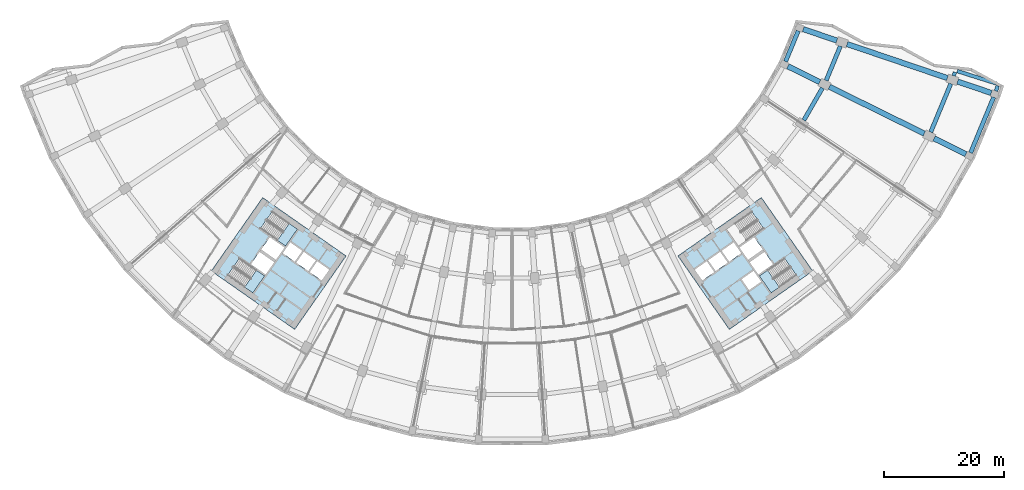
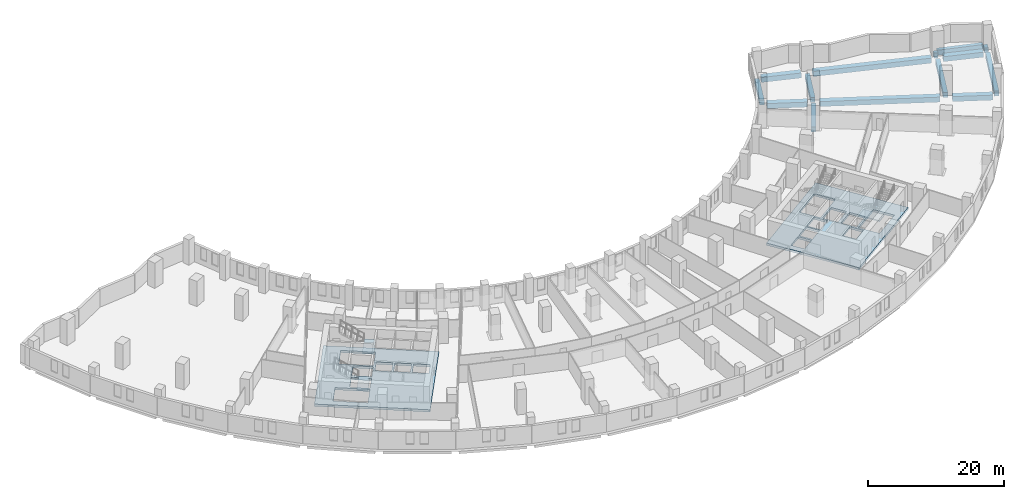
# One storey, part 3 of 20: 14 beams, 5 slabs, 3 elements without a shape of their own.
"""IFC4 building model written with IfcOpenShell, lengths in metres."""

from ifc_helpers import new_model, si_unit, direction, frame, origin, origin_2d, place, context, subcontext, project, spatial, polyline, rectangle, outline, extrude, material, layer, layer_set, material_profile, profile_set, type_object, element, aggregate, save


model = new_model("IFC4")

# Units and contexts
model_context = context("Model", 3, precision=1e-05, world=origin(), true_north=direction((0.0, 1.0)))
body_context = subcontext(model_context, "Body", "Model", "MODEL_VIEW")
ifc_project = project(units=[si_unit("LENGTHUNIT", "METRE"), si_unit("AREAUNIT", "SQUARE_METRE"), si_unit("VOLUMEUNIT", "CUBIC_METRE"), si_unit("PLANEANGLEUNIT", "RADIAN"), si_unit("MASSUNIT", "GRAM", prefix="KILO")], contexts=[model_context])

# Site, building, storey
site_placement = place(None, origin())
site = spatial("IfcSite", under=ifc_project, at=site_placement, CompositionType="ELEMENT")
building_placement = place(site_placement, origin())
building = spatial("IfcBuilding", under=site, at=building_placement, Name="Qamariyya Broadcast Tower", CompositionType="ELEMENT")
storey_placement = place(building_placement, frame((0.0, 0.0, 27.0)))
storey = spatial("IfcBuildingStorey", under=building, at=storey_placement, Name="L03", CompositionType="ELEMENT", Elevation=27.0)

# Beams
ifc_material_1 = material(Name="Concrete C50/60", Category="concrete")
ifc_material_profile_1 = material_profile(ifc_material_1, rectangle(XDim=0.699951171875, YDim=0.89990234375, at=origin_2d()))
ifc_profile_set_1 = profile_set([ifc_material_profile_1], Name="Concrete C50/60")
beam_type_1 = type_object("IfcBeamType", Name="RC edge beam 700 x 900 C50/60", PredefinedType="SPANDREL", material=ifc_profile_set_1)
beam_1_placement = place(storey_placement, frame((45.727294921875, -21.93701171875, -0.85009765625), z_axis=(0.382654292645, 0.92389160204, 0.0), x_axis=(-0.92389160204, 0.382654292645, 0.0)))
element("IfcBeam", 1, at=beam_1_placement, inside=storey, type_object=beam_type_1, Name="Edge beam B2 L03 A R19-R20", PredefinedType="SPANDREL", context=body_context, shape_type="SweptSolid", body=[
    extrude(rectangle(XDim=0.699951171875, YDim=0.89990234375, at=origin_2d()), origin(), (0.0, 0.0, 1.0), 5.5361328125),
])
for number, where, z_axis, x_axis, name in (
    (2, (48.783935546875, -31.75439453125, -0.85009765625), (0.499995558535, 0.86602796805, 0.0), (-0.86602796805, 0.499995558535, 0.0), "Edge beam B2 L03 B R18-R19"),
    (3, (52.51123046875, -25.115234375, -0.85009765625), (0.38268477858, 0.92387897489, 0.0), (-0.92387897489, 0.38268477858, 0.0), "Edge beam B2 L03 B R19-R20"),
):
    element("IfcBeam", number, at=place(storey_placement, frame(where, z_axis=z_axis, x_axis=x_axis)), inside=storey, type_object=beam_type_1, Name=name, PredefinedType="SPANDREL", context=body_context, shape_type="SweptSolid", body=[
        extrude(rectangle(XDim=0.699951171875, YDim=0.89990234375, at=origin_2d()), origin(), (0.0, 0.0, 1.0), 6.21630859375),
    ])
beam_2_placement = place(storey_placement, frame((70.000244140625, -33.73974609375, -0.85009765625), z_axis=(0.38270841035, 0.923869185896, 0.0), x_axis=(-0.923869185896, 0.38270841035, 0.0)))
element("IfcBeam", 4, at=beam_2_placement, inside=storey, type_object=beam_type_1, Name="Edge beam B2 L03 C R19-R20", PredefinedType="SPANDREL", context=body_context, shape_type="SweptSolid", body=[
    extrude(rectangle(XDim=0.699951171875, YDim=0.89990234375, at=origin_2d()), origin(), (0.0, 0.0, 1.0), 8.76708984375),
])
beam_3_placement = place(storey_placement, frame((76.66943359375, -37.19580078125, -0.85009765625), z_axis=(0.382677229034, 0.923882101991, 0.0), x_axis=(-0.923882101991, 0.382677229034, 0.0)))
element("IfcBeam", 5, at=beam_3_placement, inside=storey, type_object=beam_type_1, Name="Edge beam B2 L03 D R19-R20", PredefinedType="SPANDREL", context=body_context, shape_type="SweptSolid", body=[
    extrude(rectangle(XDim=0.699951171875, YDim=0.89990234375, at=origin_2d()), origin(), (0.0, 0.0, 1.0), 10.048828125),
])
ifc_material_profile_2 = material_profile(ifc_material_1, rectangle(XDim=0.60009765625, YDim=0.89990234375, at=origin_2d()))
ifc_profile_set_2 = profile_set([ifc_material_profile_2], Name="Concrete C50/60")
beam_type_2 = type_object("IfcBeamType", Name="RC horn beam 600 x 900 C50/60", PredefinedType="BEAM", material=ifc_profile_set_2)
beam_4_placement = place(storey_placement, frame((73.841796875, -24.32666015625, -0.85009765625), z_axis=(0.311677221784, 0.95018803898, 0.0), x_axis=(-0.95018803898, 0.311677221784, 0.0)))
element("IfcBeam", 6, at=beam_4_placement, inside=storey, type_object=beam_type_2, Name="Horn beam B3 L03 E C-R20", PredefinedType="BEAM", context=body_context, shape_type="SweptSolid", body=[
    extrude(rectangle(XDim=0.60009765625, YDim=0.89990234375, at=origin_2d()), origin(), (0.0, 0.0, 1.0), 0.628173828125),
])
beam_5_placement = place(storey_placement, frame((80.897216796875, -26.880126953125, -0.85009765625), z_axis=(0.31136908678, 0.95028905697, 0.0), x_axis=(-0.95028905697, 0.31136908678, 0.0)))
element("IfcBeam", 7, at=beam_5_placement, inside=storey, type_object=beam_type_2, Name="Horn beam B3 L03 E D-R20", PredefinedType="BEAM", context=body_context, shape_type="SweptSolid", body=[
    extrude(rectangle(XDim=0.60009765625, YDim=0.89990234375, at=origin_2d()), origin(), (0.0, 0.0, 1.0), 0.935302734375),
])
ifc_material_profile_3 = material_profile(ifc_material_1, rectangle(XDim=0.60009765625, YDim=0.89990234375, at=origin_2d()))
ifc_profile_set_3 = profile_set([ifc_material_profile_3], Name="Concrete C50/60")
beam_type_3 = type_object("IfcBeamType", Name="RC horn cap beam 600 x 900 C50/60", PredefinedType="BEAM", material=ifc_profile_set_3)
beam_6_placement = place(storey_placement, frame((74.4169921875, -23.53515625, -0.85009765625), z_axis=(0.953456380288, -0.301530978321, 0.0), x_axis=(0.301530978321, 0.953456380288, 0.0)))
element("IfcBeam", 8, at=beam_6_placement, inside=storey, type_object=beam_type_3, Name="Horn cap beam B4 L03 E C-D", PredefinedType="BEAM", context=body_context, shape_type="SweptSolid", body=[
    extrude(rectangle(XDim=0.60009765625, YDim=0.89990234375, at=origin_2d()), origin(), (0.0, 0.0, 1.0), 6.89990234375),
])
ifc_material_profile_4 = material_profile(ifc_material_1, rectangle(XDim=0.89990234375, YDim=0.89990234375, at=origin_2d()))
ifc_profile_set_4 = profile_set([ifc_material_profile_4], Name="Concrete C50/60")
beam_type_4 = type_object("IfcBeamType", Name="RC radial beam 900 x 900 C50/60", PredefinedType="BEAM", material=ifc_profile_set_4)
beam_7_placement = place(storey_placement, frame((46.099365234375, -22.733642578125, -0.85009765625), z_axis=(0.896867525941, -0.442299266236, 0.0), x_axis=(0.442299266236, 0.896867525941, 0.0)))
element("IfcBeam", 9, at=beam_7_placement, inside=storey, type_object=beam_type_4, Name="Radial beam B1 L03 R19 A-B", PredefinedType="BEAM", context=body_context, shape_type="SweptSolid", body=[
    extrude(rectangle(XDim=0.89990234375, YDim=0.89990234375, at=origin_2d()), origin(), (0.0, 0.0, 1.0), 5.94970703125),
])
beam_8_placement = place(storey_placement, frame((53.050048828125, -26.161376953125, -0.85009765625), z_axis=(0.896868921808, -0.442296435771, 0.0), x_axis=(0.442296435771, 0.896868921808, 0.0)))
element("IfcBeam", 10, at=beam_8_placement, inside=storey, type_object=beam_type_4, Name="Radial beam B1 L03 R19 B-C", PredefinedType="BEAM", context=body_context, shape_type="SweptSolid", body=[
    extrude(rectangle(XDim=0.89990234375, YDim=0.89990234375, at=origin_2d()), origin(), (0.0, 0.0, 1.0), 17.699951171875),
])
beam_9_placement = place(storey_placement, frame((70.5390625, -34.785888671875, -0.85009765625), z_axis=(0.896859276255, -0.442315994054, 0.0), x_axis=(0.442315994054, 0.896859276255, 0.0)))
element("IfcBeam", 11, at=beam_9_placement, inside=storey, type_object=beam_type_4, Name="Radial beam B1 L03 R19 C-D", PredefinedType="BEAM", context=body_context, shape_type="SweptSolid", body=[
    extrude(rectangle(XDim=0.89990234375, YDim=0.89990234375, at=origin_2d()), origin(), (0.0, 0.0, 1.0), 5.9501953125),
])
beam_10_placement = place(storey_placement, frame((48.672119140625, -16.52197265625, -0.85009765625), z_axis=(0.946929197619, -0.32144221051, 0.0), x_axis=(0.32144221051, 0.946929197619, 0.0)))
element("IfcBeam", 12, at=beam_10_placement, inside=storey, type_object=beam_type_4, Name="Radial beam B1 L03 R20 A-B", PredefinedType="BEAM", context=body_context, shape_type="SweptSolid", body=[
    extrude(rectangle(XDim=0.89990234375, YDim=0.89990234375, at=origin_2d()), origin(), (0.0, 0.0, 1.0), 5.949951171875),
])
beam_11_placement = place(storey_placement, frame((56.010986328125, -19.01318359375, -0.85009765625), z_axis=(0.946929601856, -0.321441019674, 0.0), x_axis=(0.321441019674, 0.946929601856, 0.0)))
element("IfcBeam", 13, at=beam_11_placement, inside=storey, type_object=beam_type_4, Name="Radial beam B1 L03 R20 B-C", PredefinedType="BEAM", context=body_context, shape_type="SweptSolid", body=[
    extrude(rectangle(XDim=0.89990234375, YDim=0.89990234375, at=origin_2d()), origin(), (0.0, 0.0, 1.0), 17.699951171875),
])
beam_12_placement = place(storey_placement, frame((74.47607421875, -25.28125, -0.85009765625), z_axis=(0.946929197619, -0.32144221051, 0.0), x_axis=(0.32144221051, 0.946929197619, 0.0)))
element("IfcBeam", 14, at=beam_12_placement, inside=storey, type_object=beam_type_4, Name="Radial beam B1 L03 R20 C-D", PredefinedType="BEAM", context=body_context, shape_type="SweptSolid", body=[
    extrude(rectangle(XDim=0.89990234375, YDim=0.89990234375, at=origin_2d()), origin(), (0.0, 0.0, 1.0), 5.949951171875),
])

# Slabs
ifc_material_2 = material(Name="Concrete C40/50", Category="concrete")
ifc_layer_1 = layer(ifc_material_2, 0.39990234375)
ifc_layer_set_1 = layer_set([ifc_layer_1], Name="Core floor slab 400 mm Concrete C40/50")
slab_type_1 = type_object("IfcSlabType", Name="Core floor slab 400 mm Concrete C40/50", PredefinedType="FLOOR", material=ifc_layer_set_1)
slab_1_placement = place(storey_placement, frame((0.0, 0.0, -0.39990234375)))
element("IfcSlab", 15, at=slab_1_placement, inside=storey, type_object=slab_type_1, Name="k-W-L03-slab", PredefinedType="FLOOR", context=body_context, shape_type="SweptSolid", body=[
    extrude(outline(polyline([(-50.286376953125, -56.95751953125), (-36.32373046875, -66.734375), (-27.719970703125, -54.447021484375), (-41.6826171875, -44.67041015625), (-50.286376953125, -56.95751953125)]), holes=[polyline([(-31.80859375, -58.542724609375), (-33.8154296875, -57.137451171875), (-32.5537109375, -55.335205078125), (-30.546630859375, -56.740478515625), (-31.80859375, -58.542724609375)]), polyline([(-34.061279296875, -56.96533203125), (-36.068115234375, -55.56005859375), (-34.806396484375, -53.758056640625), (-32.79931640625, -55.163330078125), (-34.061279296875, -56.96533203125)]), polyline([(-36.31396484375, -55.387939453125), (-38.32080078125, -53.982666015625), (-37.058837890625, -52.1806640625), (-35.052001953125, -53.5859375), (-36.31396484375, -55.387939453125)]), polyline([(-39.742431640625, -55.489990234375), (-42.199951171875, -53.769287109375), (-43.6337890625, -55.817138671875), (-41.17626953125, -57.537841796875), (-39.742431640625, -55.489990234375)]), polyline([(-39.45556640625, -55.080322265625), (-41.9130859375, -53.359619140625), (-40.47900390625, -51.311767578125), (-38.021728515625, -53.032470703125), (-39.45556640625, -55.080322265625)]), polyline([(-42.06103515625, -49.837890625), (-37.849609375, -52.78662109375), (-35.870849609375, -49.960693359375), (-40.082275390625, -47.01171875), (-42.06103515625, -49.837890625)]), polyline([(-47.538818359375, -57.66064453125), (-43.3271484375, -60.609619140625), (-41.348388671875, -57.783447265625), (-45.559814453125, -54.834716796875), (-47.538818359375, -57.66064453125)])]), origin(), (0.0, 0.0, 1.0), 0.39990234375),
])
slab_2_placement = place(storey_placement, frame((0.0, 0.0, -0.39990234375)))
element("IfcSlab", 16, at=slab_2_placement, inside=storey, type_object=slab_type_1, Name="k-E-L03-slab", PredefinedType="FLOOR", context=body_context, shape_type="SweptSolid", body=[
    extrude(outline(polyline([(36.32373046875, -66.734375), (50.286376953125, -56.95751953125), (41.6826171875, -44.67041015625), (27.719970703125, -54.447021484375), (36.32373046875, -66.734375)]), holes=[polyline([(31.80859375, -58.542724609375), (33.8154296875, -57.137451171875), (32.5537109375, -55.335205078125), (30.546630859375, -56.740478515625), (31.80859375, -58.542724609375)]), polyline([(34.061279296875, -56.96533203125), (36.068115234375, -55.56005859375), (34.806396484375, -53.758056640625), (32.79931640625, -55.163330078125), (34.061279296875, -56.96533203125)]), polyline([(36.31396484375, -55.387939453125), (38.32080078125, -53.982666015625), (37.058837890625, -52.1806640625), (35.052001953125, -53.5859375), (36.31396484375, -55.387939453125)]), polyline([(38.378662109375, -58.3369140625), (40.3857421875, -56.931640625), (41.6474609375, -58.73388671875), (39.640625, -60.13916015625), (38.378662109375, -58.3369140625)]), polyline([(39.742431640625, -55.489990234375), (42.199951171875, -53.769287109375), (43.6337890625, -55.817138671875), (41.17626953125, -57.537841796875), (39.742431640625, -55.489990234375)]), polyline([(39.45556640625, -55.080322265625), (41.9130859375, -53.359619140625), (40.47900390625, -51.311767578125), (38.021728515625, -53.032470703125), (39.45556640625, -55.080322265625)]), polyline([(40.082275390625, -47.01171875), (35.870849609375, -49.960693359375), (37.849609375, -52.78662109375), (42.06103515625, -49.837890625), (40.082275390625, -47.01171875)]), polyline([(45.559814453125, -54.834716796875), (41.348388671875, -57.783447265625), (43.3271484375, -60.609619140625), (47.538818359375, -57.66064453125), (45.559814453125, -54.834716796875)])]), origin(), (0.0, 0.0, 1.0), 0.39990234375),
])

# Stair, slab
stair_type = type_object("IfcStairType", Name="Exit stair 26 risers of 173 mm", PredefinedType="HALF_TURN_STAIR", material=ifc_material_1)
stair_1_placement = place(storey_placement, origin())
stair_1 = element("IfcStair", 17, at=stair_1_placement, inside=storey, type_object=stair_type, Name="L03 Stair W2", PredefinedType="HALF_TURN_STAIR")
ifc_layer_2 = layer(ifc_material_1, 0.199951171875)
ifc_layer_set_2 = layer_set([ifc_layer_2], Name="Stair landing")
slab_type_2 = type_object("IfcSlabType", Name="Stair landing", PredefinedType="LANDING", material=ifc_layer_set_2)
slab_3_placement = place(storey_placement, frame((0.0, 0.0, 2.050048828125)))
slab_3 = element("IfcSlab", 18, at=slab_3_placement, type_object=slab_type_2, Name="ST-W2 landing 1", PredefinedType="LANDING", context=body_context, shape_type="SweptSolid", body=[
    extrude(outline(polyline([(-39.217041015625, -51.829345703125), (-37.849609375, -52.78662109375), (-35.870849609375, -49.960693359375), (-37.23828125, -49.003173828125), (-39.217041015625, -51.829345703125)])), origin(), (0.0, 0.0, 1.0), 0.199951171875),
])
aggregate(stair_1, [slab_3])

stair_2_placement = place(storey_placement, origin())
stair_2 = element("IfcStair", 19, at=stair_2_placement, inside=storey, type_object=stair_type, Name="L03 Stair W1", PredefinedType="HALF_TURN_STAIR")
slab_4_placement = place(storey_placement, frame((0.0, 0.0, 2.050048828125)))
slab_4 = element("IfcSlab", 20, at=slab_4_placement, type_object=slab_type_2, Name="ST-W1 landing 1", PredefinedType="LANDING", context=body_context, shape_type="SweptSolid", body=[
    extrude(outline(polyline([(-44.694580078125, -59.652099609375), (-43.3271484375, -60.609619140625), (-41.348388671875, -57.783447265625), (-42.7158203125, -56.826171875), (-44.694580078125, -59.652099609375)])), origin(), (0.0, 0.0, 1.0), 0.199951171875),
])
aggregate(stair_2, [slab_4])

stair_3_placement = place(storey_placement, origin())
stair_3 = element("IfcStair", 21, at=stair_3_placement, inside=storey, type_object=stair_type, Name="L03 Stair E1", PredefinedType="HALF_TURN_STAIR")
slab_5_placement = place(storey_placement, frame((0.0, 0.0, 2.050048828125)))
slab_5 = element("IfcSlab", 22, at=slab_5_placement, type_object=slab_type_2, Name="ST-E1 landing 1", PredefinedType="LANDING", context=body_context, shape_type="SweptSolid", body=[
    extrude(outline(polyline([(42.7158203125, -56.826171875), (41.348388671875, -57.783447265625), (43.3271484375, -60.609619140625), (44.694580078125, -59.652099609375), (42.7158203125, -56.826171875)])), origin(), (0.0, 0.0, 1.0), 0.199951171875),
])
aggregate(stair_3, [slab_5])

save(model, "model.ifc")
